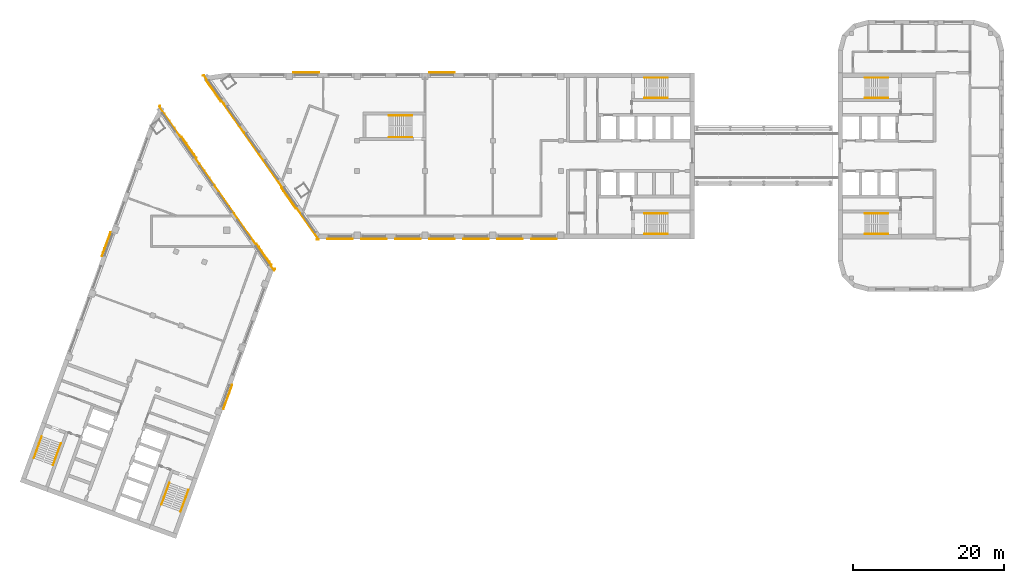
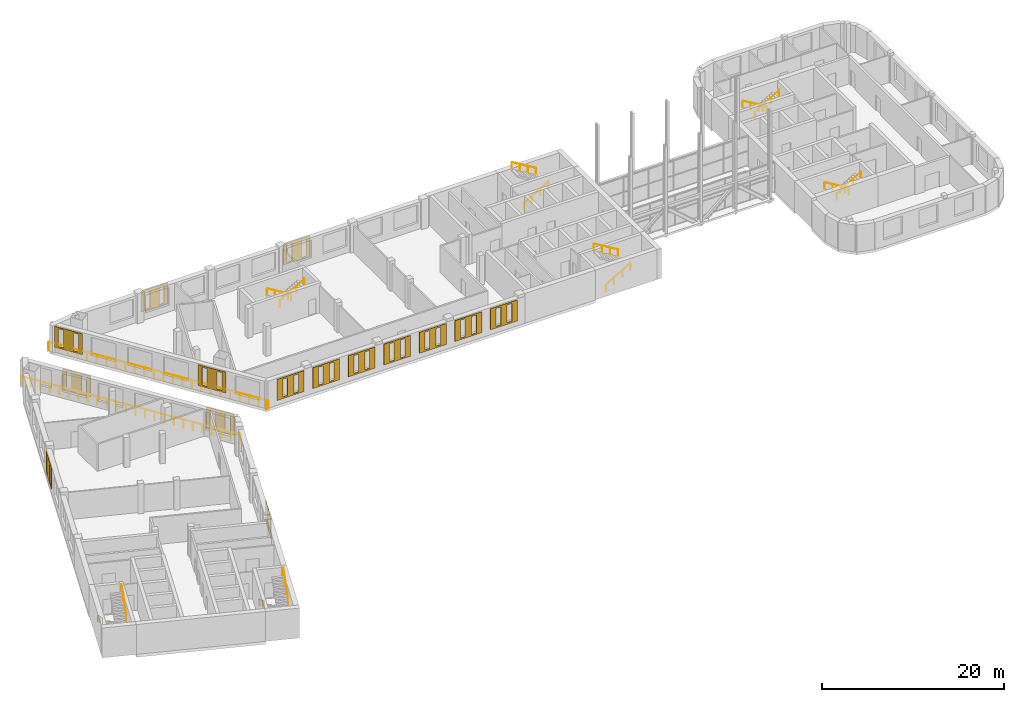
# One storey, part 11 of 11: 16 railings, 15 coverings.
"""IFC4 building model written with IfcOpenShell, lengths in metres."""

from ifc_helpers import new_model, si_unit, direction, frame, origin, origin_2d, place, context, subcontext, project, spatial, polyline, circle, outline, extrude, material, material_profile, profile_set, type_object, element, save


model = new_model("IFC4")

# Units and contexts
model_context = context("Model", 3, precision=1e-05, world=origin(), true_north=direction((0.0, 1.0)))
body_context = subcontext(model_context, "Body", "Model", "MODEL_VIEW")
ifc_project = project(units=[si_unit("LENGTHUNIT", "METRE"), si_unit("AREAUNIT", "SQUARE_METRE"), si_unit("VOLUMEUNIT", "CUBIC_METRE"), si_unit("PLANEANGLEUNIT", "RADIAN"), si_unit("MASSUNIT", "GRAM", prefix="KILO")], contexts=[model_context])

# Site, building, storey
site_placement = place(None, origin())
site = spatial("IfcSite", under=ifc_project, at=site_placement, CompositionType="ELEMENT")
building_placement = place(site_placement, origin())
building = spatial("IfcBuilding", under=site, at=building_placement, Name="Skarvind Civic Tower", CompositionType="ELEMENT")
storey_placement = place(building_placement, frame((0.0, 0.0, 109.0)))
storey = spatial("IfcBuildingStorey", under=building, at=storey_placement, Name="L25", CompositionType="ELEMENT", Elevation=109.0)

# Railings
ifc_material_1 = material(Name="Stainless steel balustrade", Category="steel")
railing_type_1 = type_object("IfcRailingType", Name="GR1 GUARD 1100", PredefinedType="GUARDRAIL", material=ifc_material_1)
railing_1_placement = place(storey_placement, frame((52.355712890625, 113.008056640625, 0.0)))
element("IfcRailing", 1, at=railing_1_placement, inside=storey, type_object=railing_type_1, Name="TERRACE GUARD", PredefinedType="GUARDRAIL", context=body_context, shape_type="SweptSolid", body=[
    extrude(circle(Radius=0.02392578125, at=origin_2d()), frame((0.0, 0.0, 1.076171875), z_axis=(-0.341743063087, -0.939793423488, 0.0), x_axis=(0.939793423488, -0.341743063087, 0.0)), (0.0, 0.0, 1.0), 0.234375),
    extrude(circle(Radius=0.02392578125, at=origin_2d()), frame((-0.080078125, -0.22021484375, 1.076171875), z_axis=(-0.991835775307, -0.12752174254, 0.0), x_axis=(0.12752174254, -0.991835775307, 0.0)), (0.0, 0.0, 1.0), 0.017333984375),
    extrude(circle(Radius=0.02392578125, at=origin_2d()), frame((-0.09716796875, -0.222412109375, 1.076171875), z_axis=(-0.573578526275, 0.819150580904, 0.0), x_axis=(-0.819150580904, -0.573578526275, 0.0)), (0.0, 0.0, 1.0), 26.512451171875),
    extrude(circle(Radius=0.02392578125, at=origin_2d()), frame((-15.30419921875, 21.495361328125, 1.076171875), z_axis=(0.475790906747, 0.879558419354, 0.0), x_axis=(-0.879558419354, 0.475790906747, 0.0)), (0.0, 0.0, 1.0), 0.11181640625),
    extrude(circle(Radius=0.02099609375, at=origin_2d()), origin(), (0.0, 0.0, 1.0), 1.052001953125),
    extrude(circle(Radius=0.02099609375, at=origin_2d()), frame((-0.080078125, -0.22021484375, 0.0)), (0.0, 0.0, 1.0), 1.052001953125),
    extrude(circle(Radius=0.02099609375, at=origin_2d()), frame((-0.09716796875, -0.222412109375, 0.0)), (0.0, 0.0, 1.0), 1.052001953125),
    extrude(circle(Radius=0.02099609375, at=origin_2d()), frame((-0.75830078125, 0.721923828125, 0.0)), (0.0, 0.0, 1.0), 1.052001953125),
    extrude(circle(Radius=0.02099609375, at=origin_2d()), frame((-1.41943359375, 1.666015625, 0.0)), (0.0, 0.0, 1.0), 1.052001953125),
    extrude(circle(Radius=0.02099609375, at=origin_2d()), frame((-2.080810546875, 2.6103515625, 0.0)), (0.0, 0.0, 1.0), 1.052001953125),
    extrude(circle(Radius=0.02099609375, at=origin_2d()), frame((-2.741943359375, 3.5546875, 0.0)), (0.0, 0.0, 1.0), 1.052001953125),
    extrude(circle(Radius=0.02099609375, at=origin_2d()), frame((-3.403076171875, 4.498779296875, 0.0)), (0.0, 0.0, 1.0), 1.052001953125),
    extrude(circle(Radius=0.02099609375, at=origin_2d()), frame((-4.064208984375, 5.443115234375, 0.0)), (0.0, 0.0, 1.0), 1.052001953125),
    extrude(circle(Radius=0.02099609375, at=origin_2d()), frame((-4.725341796875, 6.387451171875, 0.0)), (0.0, 0.0, 1.0), 1.052001953125),
    extrude(circle(Radius=0.02099609375, at=origin_2d()), frame((-5.386474609375, 7.33154296875, 0.0)), (0.0, 0.0, 1.0), 1.052001953125),
    extrude(circle(Radius=0.02099609375, at=origin_2d()), frame((-6.0478515625, 8.27587890625, 0.0)), (0.0, 0.0, 1.0), 1.052001953125),
    extrude(circle(Radius=0.02099609375, at=origin_2d()), frame((-6.708984375, 9.22021484375, 0.0)), (0.0, 0.0, 1.0), 1.052001953125),
    extrude(circle(Radius=0.02099609375, at=origin_2d()), frame((-7.3701171875, 10.164306640625, 0.0)), (0.0, 0.0, 1.0), 1.052001953125),
    extrude(circle(Radius=0.02099609375, at=origin_2d()), frame((-8.03125, 11.108642578125, 0.0)), (0.0, 0.0, 1.0), 1.052001953125),
    extrude(circle(Radius=0.02099609375, at=origin_2d()), frame((-8.6923828125, 12.052734375, 0.0)), (0.0, 0.0, 1.0), 1.052001953125),
    extrude(circle(Radius=0.02099609375, at=origin_2d()), frame((-9.353515625, 12.9970703125, 0.0)), (0.0, 0.0, 1.0), 1.052001953125),
    extrude(circle(Radius=0.02099609375, at=origin_2d()), frame((-10.014892578125, 13.94140625, 0.0)), (0.0, 0.0, 1.0), 1.052001953125),
    extrude(circle(Radius=0.02099609375, at=origin_2d()), frame((-10.676025390625, 14.885498046875, 0.0)), (0.0, 0.0, 1.0), 1.052001953125),
    extrude(circle(Radius=0.02099609375, at=origin_2d()), frame((-11.337158203125, 15.829833984375, 0.0)), (0.0, 0.0, 1.0), 1.052001953125),
    extrude(circle(Radius=0.02099609375, at=origin_2d()), frame((-11.998291015625, 16.774169921875, 0.0)), (0.0, 0.0, 1.0), 1.052001953125),
    extrude(circle(Radius=0.02099609375, at=origin_2d()), frame((-12.659423828125, 17.71826171875, 0.0)), (0.0, 0.0, 1.0), 1.052001953125),
    extrude(circle(Radius=0.02099609375, at=origin_2d()), frame((-13.320556640625, 18.66259765625, 0.0)), (0.0, 0.0, 1.0), 1.052001953125),
    extrude(circle(Radius=0.02099609375, at=origin_2d()), frame((-13.98193359375, 19.60693359375, 0.0)), (0.0, 0.0, 1.0), 1.052001953125),
    extrude(circle(Radius=0.02099609375, at=origin_2d()), frame((-14.64306640625, 20.551025390625, 0.0)), (0.0, 0.0, 1.0), 1.052001953125),
    extrude(circle(Radius=0.02099609375, at=origin_2d()), frame((-15.30419921875, 21.495361328125, 0.0)), (0.0, 0.0, 1.0), 1.052001953125),
    extrude(circle(Radius=0.02099609375, at=origin_2d()), frame((-15.2509765625, 21.59375, 0.0)), (0.0, 0.0, 1.0), 1.052001953125),
])
railing_2_placement = place(storey_placement, frame((42.8388671875, 138.61669921875, 0.0)))
element("IfcRailing", 2, at=railing_2_placement, inside=storey, type_object=railing_type_1, Name="TERRACE GUARD", PredefinedType="GUARDRAIL", context=body_context, shape_type="SweptSolid", body=[
    extrude(circle(Radius=0.02392578125, at=origin_2d()), frame((0.0, 0.0, 1.076171875), z_axis=(0.988872071431, 0.148768364729, 0.0), x_axis=(-0.148768364729, 0.988872071431, 0.0)), (0.0, 0.0, 1.0), 0.111572265625),
    extrude(circle(Radius=0.02392578125, at=origin_2d()), frame((0.1103515625, 0.0166015625, 1.076171875), z_axis=(0.573580378635, -0.819149283858, 0.0), x_axis=(0.819149283858, 0.573580378635, 0.0)), (0.0, 0.0, 1.0), 26.512939453125),
    extrude(circle(Radius=0.02392578125, at=origin_2d()), frame((15.317626953125, -21.701416015625, 1.076171875), z_axis=(-0.464006994671, -0.88583153528, 0.0), x_axis=(0.88583153528, -0.464006994671, 0.0)), (0.0, 0.0, 1.0), 0.017333984375),
    extrude(circle(Radius=0.02392578125, at=origin_2d()), frame((15.3095703125, -21.716796875, 1.076171875), z_axis=(-1.0, 0.0, 0.0), x_axis=(0.0, -1.0, 0.0)), (0.0, 0.0, 1.0), 0.234375),
    extrude(circle(Radius=0.02099609375, at=origin_2d()), origin(), (0.0, 0.0, 1.0), 1.052001953125),
    extrude(circle(Radius=0.02099609375, at=origin_2d()), frame((0.1103515625, 0.0166015625, 0.0)), (0.0, 0.0, 1.0), 1.052001953125),
    extrude(circle(Radius=0.02099609375, at=origin_2d()), frame((0.771484375, -0.927734375, 0.0)), (0.0, 0.0, 1.0), 1.052001953125),
    extrude(circle(Radius=0.02099609375, at=origin_2d()), frame((1.4326171875, -1.871826171875, 0.0)), (0.0, 0.0, 1.0), 1.052001953125),
    extrude(circle(Radius=0.02099609375, at=origin_2d()), frame((2.093994140625, -2.816162109375, 0.0)), (0.0, 0.0, 1.0), 1.052001953125),
    extrude(circle(Radius=0.02099609375, at=origin_2d()), frame((2.755126953125, -3.760498046875, 0.0)), (0.0, 0.0, 1.0), 1.052001953125),
    extrude(circle(Radius=0.02099609375, at=origin_2d()), frame((3.416259765625, -4.70458984375, 0.0)), (0.0, 0.0, 1.0), 1.052001953125),
    extrude(circle(Radius=0.02099609375, at=origin_2d()), frame((4.077392578125, -5.64892578125, 0.0)), (0.0, 0.0, 1.0), 1.052001953125),
    extrude(circle(Radius=0.02099609375, at=origin_2d()), frame((4.73876953125, -6.59326171875, 0.0)), (0.0, 0.0, 1.0), 1.052001953125),
    extrude(circle(Radius=0.02099609375, at=origin_2d()), frame((5.39990234375, -7.53759765625, 0.0)), (0.0, 0.0, 1.0), 1.052001953125),
    extrude(circle(Radius=0.02099609375, at=origin_2d()), frame((6.06103515625, -8.481689453125, 0.0)), (0.0, 0.0, 1.0), 1.052001953125),
    extrude(circle(Radius=0.02099609375, at=origin_2d()), frame((6.72216796875, -9.426025390625, 0.0)), (0.0, 0.0, 1.0), 1.052001953125),
    extrude(circle(Radius=0.02099609375, at=origin_2d()), frame((7.38330078125, -10.370361328125, 0.0)), (0.0, 0.0, 1.0), 1.052001953125),
    extrude(circle(Radius=0.02099609375, at=origin_2d()), frame((8.044677734375, -11.314453125, 0.0)), (0.0, 0.0, 1.0), 1.052001953125),
    extrude(circle(Radius=0.02099609375, at=origin_2d()), frame((8.705810546875, -12.2587890625, 0.0)), (0.0, 0.0, 1.0), 1.052001953125),
    extrude(circle(Radius=0.02099609375, at=origin_2d()), frame((9.366943359375, -13.203125, 0.0)), (0.0, 0.0, 1.0), 1.052001953125),
    extrude(circle(Radius=0.02099609375, at=origin_2d()), frame((10.028076171875, -14.147216796875, 0.0)), (0.0, 0.0, 1.0), 1.052001953125),
    extrude(circle(Radius=0.02099609375, at=origin_2d()), frame((10.689208984375, -15.091552734375, 0.0)), (0.0, 0.0, 1.0), 1.052001953125),
    extrude(circle(Radius=0.02099609375, at=origin_2d()), frame((11.3505859375, -16.035888671875, 0.0)), (0.0, 0.0, 1.0), 1.052001953125),
    extrude(circle(Radius=0.02099609375, at=origin_2d()), frame((12.01171875, -16.980224609375, 0.0)), (0.0, 0.0, 1.0), 1.052001953125),
    extrude(circle(Radius=0.02099609375, at=origin_2d()), frame((12.6728515625, -17.92431640625, 0.0)), (0.0, 0.0, 1.0), 1.052001953125),
    extrude(circle(Radius=0.02099609375, at=origin_2d()), frame((13.333984375, -18.86865234375, 0.0)), (0.0, 0.0, 1.0), 1.052001953125),
    extrude(circle(Radius=0.02099609375, at=origin_2d()), frame((13.995361328125, -19.81298828125, 0.0)), (0.0, 0.0, 1.0), 1.052001953125),
    extrude(circle(Radius=0.02099609375, at=origin_2d()), frame((14.656494140625, -20.757080078125, 0.0)), (0.0, 0.0, 1.0), 1.052001953125),
    extrude(circle(Radius=0.02099609375, at=origin_2d()), frame((15.317626953125, -21.701416015625, 0.0)), (0.0, 0.0, 1.0), 1.052001953125),
    extrude(circle(Radius=0.02099609375, at=origin_2d()), frame((15.3095703125, -21.716796875, 0.0)), (0.0, 0.0, 1.0), 1.052001953125),
    extrude(circle(Radius=0.02099609375, at=origin_2d()), frame((15.0751953125, -21.716796875, 0.0)), (0.0, 0.0, 1.0), 1.052001953125),
])
ifc_material_2 = material(Name="Painted steel handrail", Category="steel")
railing_type_2 = type_object("IfcRailingType", Name="Stair handrail 900", PredefinedType="HANDRAIL", material=ifc_material_2)
railing_3_placement = place(storey_placement, frame((101.35009765625, 135.64990234375, 0.166748046875)))
element("IfcRailing", 3, at=railing_3_placement, inside=storey, type_object=railing_type_2, Name="Stair handrail", PredefinedType="HANDRAIL", context=body_context, shape_type="SweptSolid", body=[
    extrude(circle(Radius=0.02392578125, at=origin_2d()), frame((0.0, 0.0, 0.8759765625), z_axis=(0.859290745958, 0.0, 0.51148745235), x_axis=(0.0, 1.0, 0.0)), (0.0, 0.0, 1.0), 3.584228515625),
    extrude(circle(Radius=0.02099609375, at=origin_2d()), origin(), (0.0, 0.0, 1.0), 0.851806640625),
    extrude(circle(Radius=0.02099609375, at=origin_2d()), frame((1.026611328125, 0.0, 0.611083984375)), (0.0, 0.0, 1.0), 0.851806640625),
    extrude(circle(Radius=0.02099609375, at=origin_2d()), frame((2.05322265625, 0.0, 1.22216796875)), (0.0, 0.0, 1.0), 0.851806640625),
    extrude(circle(Radius=0.02099609375, at=origin_2d()), frame((3.079833984375, 0.0, 1.833251953125)), (0.0, 0.0, 1.0), 0.851806640625),
])
railing_4_placement = place(storey_placement, frame((104.429931640625, 138.35009765625, 2.166748046875)))
element("IfcRailing", 4, at=railing_4_placement, inside=storey, type_object=railing_type_2, Name="Stair handrail", PredefinedType="HANDRAIL", context=body_context, shape_type="SweptSolid", body=[
    extrude(circle(Radius=0.02392578125, at=origin_2d()), frame((0.0, 0.0, 0.8759765625), z_axis=(-0.859290745958, 0.0, 0.51148745235), x_axis=(0.0, -1.0, 0.0)), (0.0, 0.0, 1.0), 3.584228515625),
    extrude(circle(Radius=0.02099609375, at=origin_2d()), origin(), (0.0, 0.0, 1.0), 0.851806640625),
    extrude(circle(Radius=0.02099609375, at=origin_2d()), frame((-1.026611328125, 0.0, 0.611083984375)), (0.0, 0.0, 1.0), 0.851806640625),
    extrude(circle(Radius=0.02099609375, at=origin_2d()), frame((-2.05322265625, 0.0, 1.22216796875)), (0.0, 0.0, 1.0), 0.851806640625),
    extrude(circle(Radius=0.02099609375, at=origin_2d()), frame((-3.079833984375, 0.0, 1.833251953125)), (0.0, 0.0, 1.0), 0.851806640625),
])
railing_5_placement = place(storey_placement, frame((101.35009765625, 117.64990234375, 0.166748046875)))
element("IfcRailing", 5, at=railing_5_placement, inside=storey, type_object=railing_type_2, Name="Stair handrail", PredefinedType="HANDRAIL", context=body_context, shape_type="SweptSolid", body=[
    extrude(circle(Radius=0.02392578125, at=origin_2d()), frame((0.0, 0.0, 0.8759765625), z_axis=(0.859290745958, 0.0, 0.51148745235), x_axis=(0.0, 1.0, 0.0)), (0.0, 0.0, 1.0), 3.584228515625),
    extrude(circle(Radius=0.02099609375, at=origin_2d()), origin(), (0.0, 0.0, 1.0), 0.851806640625),
    extrude(circle(Radius=0.02099609375, at=origin_2d()), frame((1.026611328125, 0.0, 0.611083984375)), (0.0, 0.0, 1.0), 0.851806640625),
    extrude(circle(Radius=0.02099609375, at=origin_2d()), frame((2.05322265625, 0.0, 1.22216796875)), (0.0, 0.0, 1.0), 0.851806640625),
    extrude(circle(Radius=0.02099609375, at=origin_2d()), frame((3.079833984375, 0.0, 1.833251953125)), (0.0, 0.0, 1.0), 0.851806640625),
])
railing_6_placement = place(storey_placement, frame((104.429931640625, 120.35009765625, 2.166748046875)))
element("IfcRailing", 6, at=railing_6_placement, inside=storey, type_object=railing_type_2, Name="Stair handrail", PredefinedType="HANDRAIL", context=body_context, shape_type="SweptSolid", body=[
    extrude(circle(Radius=0.02392578125, at=origin_2d()), frame((0.0, 0.0, 0.8759765625), z_axis=(-0.859290745958, 0.0, 0.51148745235), x_axis=(0.0, -1.0, 0.0)), (0.0, 0.0, 1.0), 3.584228515625),
    extrude(circle(Radius=0.02099609375, at=origin_2d()), origin(), (0.0, 0.0, 1.0), 0.851806640625),
    extrude(circle(Radius=0.02099609375, at=origin_2d()), frame((-1.026611328125, 0.0, 0.611083984375)), (0.0, 0.0, 1.0), 0.851806640625),
    extrude(circle(Radius=0.02099609375, at=origin_2d()), frame((-2.05322265625, 0.0, 1.22216796875)), (0.0, 0.0, 1.0), 0.851806640625),
    extrude(circle(Radius=0.02099609375, at=origin_2d()), frame((-3.079833984375, 0.0, 1.833251953125)), (0.0, 0.0, 1.0), 0.851806640625),
])
railing_7_placement = place(storey_placement, frame((38.362060546875, 84.64794921875, 0.166748046875)))
element("IfcRailing", 7, at=railing_7_placement, inside=storey, type_object=railing_type_2, Name="Stair handrail", PredefinedType="HANDRAIL", context=body_context, shape_type="SweptSolid", body=[
    extrude(circle(Radius=0.02392578125, at=origin_2d()), frame((0.0, 0.0, 0.8759765625), z_axis=(-0.293908055923, -0.807480881337, 0.511461319103), x_axis=(0.939689235759, -0.342029443467, 0.0)), (0.0, 0.0, 1.0), 3.584228515625),
    extrude(circle(Radius=0.02099609375, at=origin_2d()), origin(), (0.0, 0.0, 1.0), 0.851806640625),
    extrude(circle(Radius=0.02099609375, at=origin_2d()), frame((-0.35107421875, -0.96484375, 0.611083984375)), (0.0, 0.0, 1.0), 0.851806640625),
    extrude(circle(Radius=0.02099609375, at=origin_2d()), frame((-0.702392578125, -1.929443359375, 1.22216796875)), (0.0, 0.0, 1.0), 0.851806640625),
    extrude(circle(Radius=0.02099609375, at=origin_2d()), frame((-1.053466796875, -2.894287109375, 1.833251953125)), (0.0, 0.0, 1.0), 0.851806640625),
])
railing_8_placement = place(storey_placement, frame((39.845703125, 80.830078125, 2.166748046875)))
element("IfcRailing", 8, at=railing_8_placement, inside=storey, type_object=railing_type_2, Name="Stair handrail", PredefinedType="HANDRAIL", context=body_context, shape_type="SweptSolid", body=[
    extrude(circle(Radius=0.02392578125, at=origin_2d()), frame((0.0, 0.0, 0.8759765625), z_axis=(0.293908055923, 0.807480881337, 0.511461319103), x_axis=(-0.939689235759, 0.342029443467, 0.0)), (0.0, 0.0, 1.0), 3.584228515625),
    extrude(circle(Radius=0.02099609375, at=origin_2d()), origin(), (0.0, 0.0, 1.0), 0.851806640625),
    extrude(circle(Radius=0.02099609375, at=origin_2d()), frame((0.35107421875, 0.96484375, 0.611083984375)), (0.0, 0.0, 1.0), 0.851806640625),
    extrude(circle(Radius=0.02099609375, at=origin_2d()), frame((0.702392578125, 1.929443359375, 1.22216796875)), (0.0, 0.0, 1.0), 0.851806640625),
    extrude(circle(Radius=0.02099609375, at=origin_2d()), frame((1.053466796875, 2.894287109375, 1.833251953125)), (0.0, 0.0, 1.0), 0.851806640625),
])
railing_9_placement = place(storey_placement, frame((21.447509765625, 90.80419921875, 0.166748046875)))
element("IfcRailing", 9, at=railing_9_placement, inside=storey, type_object=railing_type_2, Name="Stair handrail", PredefinedType="HANDRAIL", context=body_context, shape_type="SweptSolid", body=[
    extrude(circle(Radius=0.02392578125, at=origin_2d()), frame((0.0, 0.0, 0.8759765625), z_axis=(-0.293845824691, -0.807497044902, 0.511471557163), x_axis=(0.939714709796, -0.34195944817, 0.0)), (0.0, 0.0, 1.0), 3.584228515625),
    extrude(circle(Radius=0.02099609375, at=origin_2d()), origin(), (0.0, 0.0, 1.0), 0.851806640625),
    extrude(circle(Radius=0.02099609375, at=origin_2d()), frame((-0.35107421875, -0.96484375, 0.611083984375)), (0.0, 0.0, 1.0), 0.851806640625),
    extrude(circle(Radius=0.02099609375, at=origin_2d()), frame((-0.7021484375, -1.929443359375, 1.22216796875)), (0.0, 0.0, 1.0), 0.851806640625),
    extrude(circle(Radius=0.02099609375, at=origin_2d()), frame((-1.05322265625, -2.894287109375, 1.833251953125)), (0.0, 0.0, 1.0), 0.851806640625),
])
railing_10_placement = place(storey_placement, frame((22.931396484375, 86.986572265625, 2.166748046875)))
element("IfcRailing", 10, at=railing_10_placement, inside=storey, type_object=railing_type_2, Name="Stair handrail", PredefinedType="HANDRAIL", context=body_context, shape_type="SweptSolid", body=[
    extrude(circle(Radius=0.02392578125, at=origin_2d()), frame((0.0, 0.0, 0.8759765625), z_axis=(0.293908055923, 0.807480881337, 0.511461319103), x_axis=(-0.939689235759, 0.342029443467, 0.0)), (0.0, 0.0, 1.0), 3.584228515625),
    extrude(circle(Radius=0.02099609375, at=origin_2d()), origin(), (0.0, 0.0, 1.0), 0.851806640625),
    extrude(circle(Radius=0.02099609375, at=origin_2d()), frame((0.35107421875, 0.96484375, 0.611083984375)), (0.0, 0.0, 1.0), 0.851806640625),
    extrude(circle(Radius=0.02099609375, at=origin_2d()), frame((0.702392578125, 1.929443359375, 1.22216796875)), (0.0, 0.0, 1.0), 0.851806640625),
    extrude(circle(Radius=0.02099609375, at=origin_2d()), frame((1.053466796875, 2.894287109375, 1.833251953125)), (0.0, 0.0, 1.0), 0.851806640625),
])
railing_11_placement = place(storey_placement, frame((133.64990234375, 120.35009765625, 0.166748046875)))
element("IfcRailing", 11, at=railing_11_placement, inside=storey, type_object=railing_type_2, Name="Stair handrail", PredefinedType="HANDRAIL", context=body_context, shape_type="SweptSolid", body=[
    extrude(circle(Radius=0.02392578125, at=origin_2d()), frame((0.0, 0.0, 0.8759765625), z_axis=(-0.859290745958, 0.0, 0.51148745235), x_axis=(0.0, -1.0, 0.0)), (0.0, 0.0, 1.0), 3.584228515625),
    extrude(circle(Radius=0.02099609375, at=origin_2d()), origin(), (0.0, 0.0, 1.0), 0.851806640625),
    extrude(circle(Radius=0.02099609375, at=origin_2d()), frame((-1.026611328125, 0.0, 0.611083984375)), (0.0, 0.0, 1.0), 0.851806640625),
    extrude(circle(Radius=0.02099609375, at=origin_2d()), frame((-2.05322265625, 0.0, 1.22216796875)), (0.0, 0.0, 1.0), 0.851806640625),
    extrude(circle(Radius=0.02099609375, at=origin_2d()), frame((-3.079833984375, 0.0, 1.833251953125)), (0.0, 0.0, 1.0), 0.851806640625),
])
railing_12_placement = place(storey_placement, frame((130.570068359375, 117.64990234375, 2.166748046875)))
element("IfcRailing", 12, at=railing_12_placement, inside=storey, type_object=railing_type_2, Name="Stair handrail", PredefinedType="HANDRAIL", context=body_context, shape_type="SweptSolid", body=[
    extrude(circle(Radius=0.02392578125, at=origin_2d()), frame((0.0, 0.0, 0.8759765625), z_axis=(0.859290745958, 0.0, 0.51148745235), x_axis=(0.0, 1.0, 0.0)), (0.0, 0.0, 1.0), 3.584228515625),
    extrude(circle(Radius=0.02099609375, at=origin_2d()), origin(), (0.0, 0.0, 1.0), 0.851806640625),
    extrude(circle(Radius=0.02099609375, at=origin_2d()), frame((1.026611328125, 0.0, 0.611083984375)), (0.0, 0.0, 1.0), 0.851806640625),
    extrude(circle(Radius=0.02099609375, at=origin_2d()), frame((2.05322265625, 0.0, 1.22216796875)), (0.0, 0.0, 1.0), 0.851806640625),
    extrude(circle(Radius=0.02099609375, at=origin_2d()), frame((3.079833984375, 0.0, 1.833251953125)), (0.0, 0.0, 1.0), 0.851806640625),
])
railing_13_placement = place(storey_placement, frame((133.64990234375, 138.35009765625, 0.166748046875)))
element("IfcRailing", 13, at=railing_13_placement, inside=storey, type_object=railing_type_2, Name="Stair handrail", PredefinedType="HANDRAIL", context=body_context, shape_type="SweptSolid", body=[
    extrude(circle(Radius=0.02392578125, at=origin_2d()), frame((0.0, 0.0, 0.8759765625), z_axis=(-0.859290745958, 0.0, 0.51148745235), x_axis=(0.0, -1.0, 0.0)), (0.0, 0.0, 1.0), 3.584228515625),
    extrude(circle(Radius=0.02099609375, at=origin_2d()), origin(), (0.0, 0.0, 1.0), 0.851806640625),
    extrude(circle(Radius=0.02099609375, at=origin_2d()), frame((-1.026611328125, 0.0, 0.611083984375)), (0.0, 0.0, 1.0), 0.851806640625),
    extrude(circle(Radius=0.02099609375, at=origin_2d()), frame((-2.05322265625, 0.0, 1.22216796875)), (0.0, 0.0, 1.0), 0.851806640625),
    extrude(circle(Radius=0.02099609375, at=origin_2d()), frame((-3.079833984375, 0.0, 1.833251953125)), (0.0, 0.0, 1.0), 0.851806640625),
])
railing_14_placement = place(storey_placement, frame((130.570068359375, 135.64990234375, 2.166748046875)))
element("IfcRailing", 14, at=railing_14_placement, inside=storey, type_object=railing_type_2, Name="Stair handrail", PredefinedType="HANDRAIL", context=body_context, shape_type="SweptSolid", body=[
    extrude(circle(Radius=0.02392578125, at=origin_2d()), frame((0.0, 0.0, 0.8759765625), z_axis=(0.859290745958, 0.0, 0.51148745235), x_axis=(0.0, 1.0, 0.0)), (0.0, 0.0, 1.0), 3.584228515625),
    extrude(circle(Radius=0.02099609375, at=origin_2d()), origin(), (0.0, 0.0, 1.0), 0.851806640625),
    extrude(circle(Radius=0.02099609375, at=origin_2d()), frame((1.026611328125, 0.0, 0.611083984375)), (0.0, 0.0, 1.0), 0.851806640625),
    extrude(circle(Radius=0.02099609375, at=origin_2d()), frame((2.05322265625, 0.0, 1.22216796875)), (0.0, 0.0, 1.0), 0.851806640625),
    extrude(circle(Radius=0.02099609375, at=origin_2d()), frame((3.079833984375, 0.0, 1.833251953125)), (0.0, 0.0, 1.0), 0.851806640625),
])
railing_15_placement = place(storey_placement, frame((70.550048828125, 133.35009765625, 0.166748046875)))
element("IfcRailing", 15, at=railing_15_placement, inside=storey, type_object=railing_type_2, Name="Stair handrail", PredefinedType="HANDRAIL", context=body_context, shape_type="SweptSolid", body=[
    extrude(circle(Radius=0.02392578125, at=origin_2d()), frame((0.0, 0.0, 0.8759765625), z_axis=(-0.859308565015, 0.0, 0.511457515432), x_axis=(0.0, -1.0, 0.0)), (0.0, 0.0, 1.0), 3.58447265625),
    extrude(circle(Radius=0.02099609375, at=origin_2d()), origin(), (0.0, 0.0, 1.0), 0.851806640625),
    extrude(circle(Radius=0.02099609375, at=origin_2d()), frame((-1.026611328125, 0.0, 0.611083984375)), (0.0, 0.0, 1.0), 0.851806640625),
    extrude(circle(Radius=0.02099609375, at=origin_2d()), frame((-2.053466796875, 0.0, 1.22216796875)), (0.0, 0.0, 1.0), 0.851806640625),
    extrude(circle(Radius=0.02099609375, at=origin_2d()), frame((-3.080078125, 0.0, 1.833251953125)), (0.0, 0.0, 1.0), 0.851806640625),
])
railing_16_placement = place(storey_placement, frame((67.469970703125, 130.449951171875, 2.166748046875)))
element("IfcRailing", 16, at=railing_16_placement, inside=storey, type_object=railing_type_2, Name="Stair handrail", PredefinedType="HANDRAIL", context=body_context, shape_type="SweptSolid", body=[
    extrude(circle(Radius=0.02392578125, at=origin_2d()), frame((0.0, 0.0, 0.8759765625), z_axis=(0.859308565015, 0.0, 0.511457515432), x_axis=(0.0, 1.0, 0.0)), (0.0, 0.0, 1.0), 3.58447265625),
    extrude(circle(Radius=0.02099609375, at=origin_2d()), origin(), (0.0, 0.0, 1.0), 0.851806640625),
    extrude(circle(Radius=0.02099609375, at=origin_2d()), frame((1.026611328125, 0.0, 0.611083984375)), (0.0, 0.0, 1.0), 0.851806640625),
    extrude(circle(Radius=0.02099609375, at=origin_2d()), frame((2.053466796875, 0.0, 1.22216796875)), (0.0, 0.0, 1.0), 0.851806640625),
    extrude(circle(Radius=0.02099609375, at=origin_2d()), frame((3.080078125, 0.0, 1.833251953125)), (0.0, 0.0, 1.0), 0.851806640625),
])

# Coverings
ifc_material_3 = material(Name="Terracotta", Category="masonry")
ifc_material_profile_1 = material_profile(ifc_material_3, outline(polyline([(-1.699951171875, -1.39990234375), (1.699951171875, -1.39990234375), (1.699951171875, 1.39990234375), (-1.699951171875, 1.39990234375), (-1.699951171875, -1.39990234375)]), holes=[polyline([(-1.0, -1.18994140625), (-0.39990234375, -1.18994140625), (-0.39990234375, 1.18994140625), (-1.0, 1.18994140625), (-1.0, -1.18994140625)]), polyline([(0.39990234375, -1.18994140625), (1.0, -1.18994140625), (1.0, 1.18994140625), (0.39990234375, 1.18994140625), (0.39990234375, -1.18994140625)])]), Name="TERRACOTTA SCREEN 3400 x 2800, SLIT PITCH 1400")
ifc_profile_set_1 = profile_set([ifc_material_profile_1], Name="Terracotta")
covering_type_1 = type_object("IfcCoveringType", Name="TERRACOTTA SCREEN 3400 x 2800, SLIT PITCH 1400", PredefinedType="CLADDING", material=ifc_profile_set_1)
for number, where, z_axis, x_axis, name in (
    (17, (88.0, 117.0, 2.10009765625), (0.0, -1.0, 0.0), (1.0, 0.0, 0.0), "TERRACOTTA SCREEN"),
    (18, (83.5, 117.0, 2.10009765625), (0.0, -1.0, 0.0), (1.0, 0.0, 0.0), "TERRACOTTA SCREEN"),
    (19, (79.0, 117.0, 2.10009765625), (0.0, -1.0, 0.0), (1.0, 0.0, 0.0), "TERRACOTTA SCREEN"),
    (20, (74.5, 117.0, 2.10009765625), (0.0, -1.0, 0.0), (1.0, 0.0, 0.0), "TERRACOTTA SCREEN"),
    (21, (70.0, 117.0, 2.10009765625), (0.0, -1.0, 0.0), (1.0, 0.0, 0.0), "TERRACOTTA SCREEN"),
    (22, (65.5, 117.0, 2.10009765625), (0.0, -1.0, 0.0), (1.0, 0.0, 0.0), "TERRACOTTA SCREEN"),
    (23, (61.0, 117.0, 2.10009765625), (0.0, -1.0, 0.0), (1.0, 0.0, 0.0), "TERRACOTTA SCREEN"),
):
    element("IfcCovering", number, at=place(storey_placement, frame(where, z_axis=z_axis, x_axis=x_axis)), inside=storey, type_object=covering_type_1, Name=name, PredefinedType="CLADDING", context=body_context, shape_type="SweptSolid", body=[
        extrude(outline(polyline([(-1.699951171875, -1.39990234375), (1.699951171875, -1.39990234375), (1.699951171875, 1.39990234375), (-1.699951171875, 1.39990234375), (-1.699951171875, -1.39990234375)]), holes=[polyline([(-1.0, -1.18994140625), (-0.39990234375, -1.18994140625), (-0.39990234375, 1.18994140625), (-1.0, 1.18994140625), (-1.0, -1.18994140625)]), polyline([(0.39990234375, -1.18994140625), (1.0, -1.18994140625), (1.0, 1.18994140625), (0.39990234375, 1.18994140625), (0.39990234375, -1.18994140625)])]), origin(), (0.0, 0.0, 1.0), 0.06005859375),
    ])
ifc_material_profile_2 = material_profile(ifc_material_3, outline(polyline([(-1.699951171875, -1.39990234375), (1.699951171875, -1.39990234375), (1.699951171875, 1.39990234375), (-1.699951171875, 1.39990234375), (-1.699951171875, -1.39990234375)]), holes=[polyline([(-1.199951171875, -1.18994140625), (-0.60009765625, -1.18994140625), (-0.60009765625, 1.18994140625), (-1.199951171875, 1.18994140625), (-1.199951171875, -1.18994140625)]), polyline([(0.60009765625, -1.18994140625), (1.199951171875, -1.18994140625), (1.199951171875, 1.18994140625), (0.60009765625, 1.18994140625), (0.60009765625, -1.18994140625)])]), Name="TERRACOTTA SCREEN 3400 x 2800, SLIT PITCH 1800")
ifc_profile_set_2 = profile_set([ifc_material_profile_2], Name="Terracotta")
covering_type_2 = type_object("IfcCoveringType", Name="TERRACOTTA SCREEN 3400 x 2800, SLIT PITCH 1800", PredefinedType="CLADDING", material=ifc_profile_set_2)
covering_1_placement = place(storey_placement, frame((54.20703125, 122.38134765625, 2.10009765625), z_axis=(-0.819994031533, -0.572372071515, 0.0), x_axis=(0.572372071515, -0.819994031533, 0.0)))
element("IfcCovering", 24, at=covering_1_placement, inside=storey, type_object=covering_type_2, Name="TERRACOTTA SCREEN", PredefinedType="CLADDING", context=body_context, shape_type="SweptSolid", body=[
    extrude(outline(polyline([(-1.699951171875, -1.39990234375), (1.699951171875, -1.39990234375), (1.699951171875, 1.39990234375), (-1.699951171875, 1.39990234375), (-1.699951171875, -1.39990234375)]), holes=[polyline([(-1.199951171875, -1.18994140625), (-0.60009765625, -1.18994140625), (-0.60009765625, 1.18994140625), (-1.199951171875, 1.18994140625), (-1.199951171875, -1.18994140625)]), polyline([(0.60009765625, -1.18994140625), (1.199951171875, -1.18994140625), (1.199951171875, 1.18994140625), (0.60009765625, 1.18994140625), (0.60009765625, -1.18994140625)])]), origin(), (0.0, 0.0, 1.0), 0.06005859375),
])
covering_2_placement = place(storey_placement, frame((44.244873046875, 136.6083984375, 2.10009765625), z_axis=(-0.820572225759, -0.571542843812, 0.0), x_axis=(0.571542843812, -0.820572225759, 0.0)))
element("IfcCovering", 25, at=covering_2_placement, inside=storey, type_object=covering_type_2, Name="TERRACOTTA SCREEN", PredefinedType="CLADDING", context=body_context, shape_type="SweptSolid", body=[
    extrude(outline(polyline([(-1.699951171875, -1.39990234375), (1.699951171875, -1.39990234375), (1.699951171875, 1.39990234375), (-1.699951171875, 1.39990234375), (-1.699951171875, -1.39990234375)]), holes=[polyline([(-1.199951171875, -1.18994140625), (-0.60009765625, -1.18994140625), (-0.60009765625, 1.18994140625), (-1.199951171875, 1.18994140625), (-1.199951171875, -1.18994140625)]), polyline([(0.60009765625, -1.18994140625), (1.199951171875, -1.18994140625), (1.199951171875, 1.18994140625), (0.60009765625, 1.18994140625), (0.60009765625, -1.18994140625)])]), origin(), (0.0, 0.0, 1.0), 0.059814453125),
])
for number, where, z_axis, x_axis, name in (
    (26, (56.5, 139.0, 2.10009765625), (0.0, 1.0, 0.0), (-1.0, 0.0, 0.0), "TERRACOTTA SCREEN"),
    (27, (74.5, 139.0, 2.10009765625), (0.0, 1.0, 0.0), (-1.0, 0.0, 0.0), "TERRACOTTA SCREEN"),
    (28, (46.075927734375, 96.047119140625, 2.10009765625), (0.939793423488, -0.341743063087, 0.0), (0.341743063087, 0.939793423488, 0.0), "TERRACOTTA SCREEN"),
    (29, (40.93701171875, 129.12890625, 2.10009765625), (0.81865747399, 0.57428210862, 0.0), (-0.57428210862, 0.81865747399, 0.0), "TERRACOTTA SCREEN"),
    (30, (50.89892578125, 114.901611328125, 2.10009765625), (0.81865747399, 0.57428210862, 0.0), (-0.57428210862, 0.81865747399, 0.0), "TERRACOTTA SCREEN"),
    (31, (30.02001953125, 116.25732421875, 2.10009765625), (-0.939793423488, 0.341743063087, 0.0), (-0.341743063087, -0.939793423488, 0.0), "TERRACOTTA SCREEN"),
):
    element("IfcCovering", number, at=place(storey_placement, frame(where, z_axis=z_axis, x_axis=x_axis)), inside=storey, type_object=covering_type_2, Name=name, PredefinedType="CLADDING", context=body_context, shape_type="SweptSolid", body=[
        extrude(outline(polyline([(-1.699951171875, -1.39990234375), (1.699951171875, -1.39990234375), (1.699951171875, 1.39990234375), (-1.699951171875, 1.39990234375), (-1.699951171875, -1.39990234375)]), holes=[polyline([(-1.199951171875, -1.18994140625), (-0.60009765625, -1.18994140625), (-0.60009765625, 1.18994140625), (-1.199951171875, 1.18994140625), (-1.199951171875, -1.18994140625)]), polyline([(0.60009765625, -1.18994140625), (1.199951171875, -1.18994140625), (1.199951171875, 1.18994140625), (0.60009765625, 1.18994140625), (0.60009765625, -1.18994140625)])]), origin(), (0.0, 0.0, 1.0), 0.06005859375),
    ])

save(model, "model.ifc")
